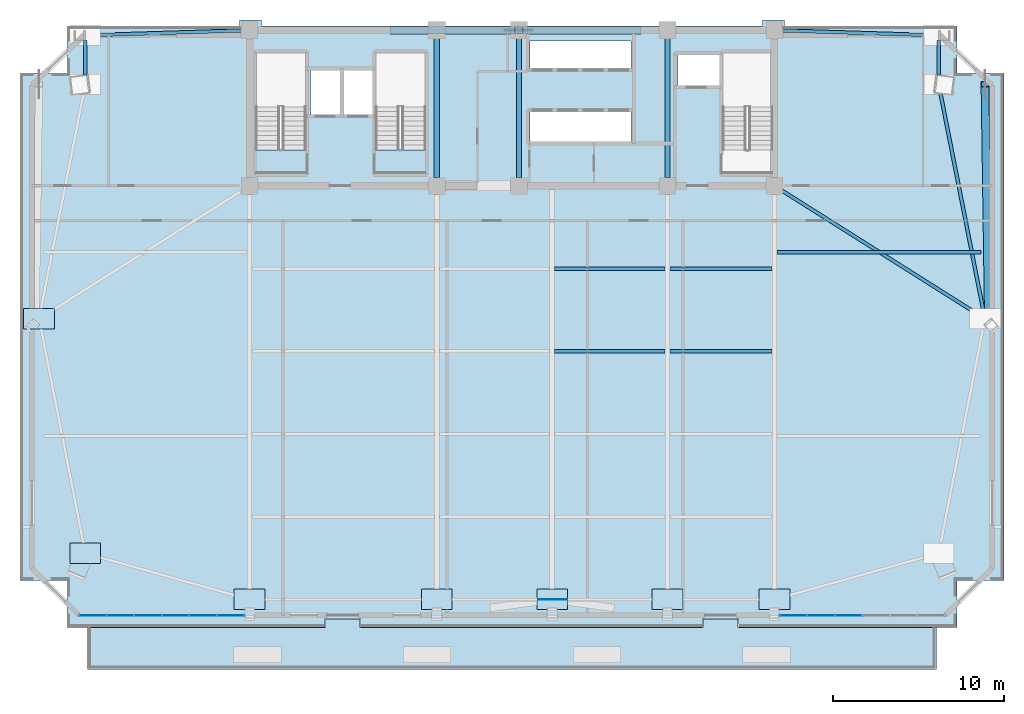
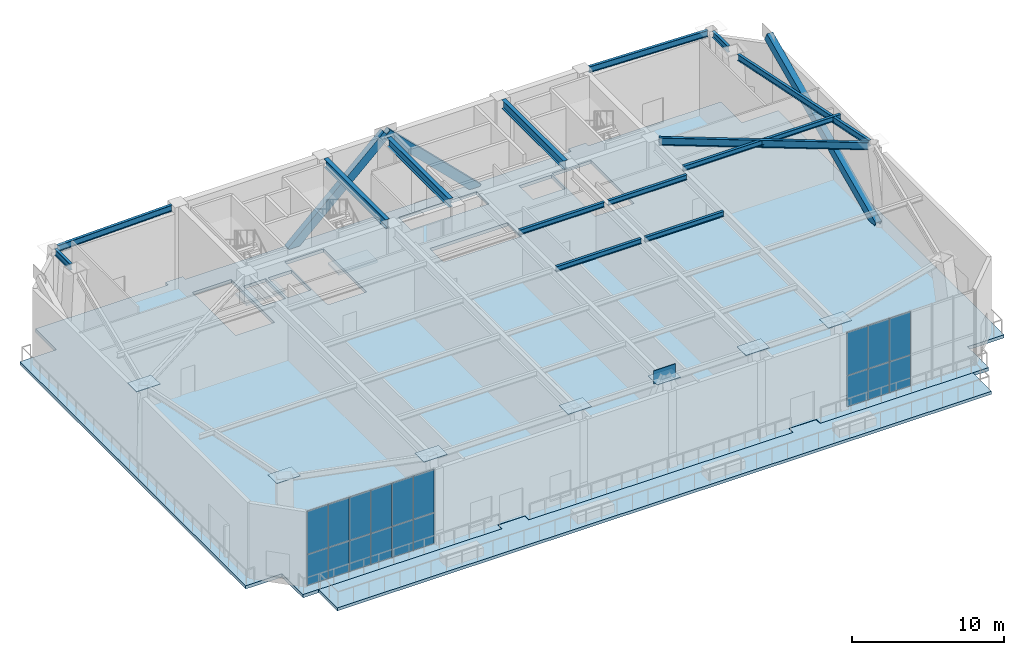
# One storey, part 7 of 16: 26 plates, 14 beams, 4 slabs, 3 members, 4 elements without a shape of their own.
"""IFC4 building model written with IfcOpenShell, lengths in metres."""

from ifc_helpers import new_model, si_unit, direction, frame, origin, origin_2d, place, context, subcontext, project, spatial, polyline, rectangle, hollow_rectangle, i_section, outline, extrude, source, transform, mapped, material, layer, layer_set, material_profile, profile_set, type_object, element, aggregate, save


model = new_model("IFC4")

# Units and contexts
model_context = context("Model", 3, precision=1e-05, world=origin(), true_north=direction((0.0, 1.0)))
body_context = subcontext(model_context, "Body", "Model", "MODEL_VIEW")
ifc_project = project(units=[si_unit("LENGTHUNIT", "METRE"), si_unit("AREAUNIT", "SQUARE_METRE"), si_unit("VOLUMEUNIT", "CUBIC_METRE"), si_unit("PLANEANGLEUNIT", "RADIAN"), si_unit("MASSUNIT", "GRAM", prefix="KILO")], contexts=[model_context])

# Site, building, storey
site_placement = place(None, origin())
site = spatial("IfcSite", under=ifc_project, at=site_placement, CompositionType="ELEMENT")
building_placement = place(site_placement, origin())
building = spatial("IfcBuilding", under=site, at=building_placement, Name="Giltprow Tower", CompositionType="ELEMENT")
storey_placement = place(building_placement, frame((0.0, 0.0, 220.199951171875)))
storey = spatial("IfcBuildingStorey", under=building, at=storey_placement, Name="L56", CompositionType="ELEMENT", Elevation=220.199951171875)

# Beams
ifc_material_1 = material(Name="Structural steel Q355B", Category="steel")
ifc_material_profile_1 = material_profile(ifc_material_1, i_section(OverallWidth=0.300048828125, OverallDepth=0.699951171875, WebThickness=0.012939453125, FlangeThickness=0.02392578125, at=origin_2d()), Name="HN 700x300x13x24")
ifc_profile_set_1 = profile_set([ifc_material_profile_1], Name="Structural steel Q355B")
beam_type_1 = type_object("IfcBeamType", Name="BM-GIRD-HN700", PredefinedType="BEAM", material=ifc_profile_set_1)
shared_shape_1 = source(origin(), body_context, "Body", "SweptSolid", [
    extrude(i_section(OverallWidth=0.300048828125, OverallDepth=0.699951171875, WebThickness=0.012939453125, FlangeThickness=0.02392578125, at=origin_2d()), origin(), (0.0, 0.0, 1.0), 8.1298828125),
])
for number, where, z_axis, x_axis, name in (
    (1, (30.800048828125, 37.93505859375, 6.235107421875), (0.0, 1.0, 0.0), (-1.0, 0.0, 0.0), "L56 Core Tie Girder M1"),
    (2, (35.60009765625, 37.93505859375, 6.235107421875), (0.0, 1.0, 0.0), (-1.0, 0.0, 0.0), "L56 Core Tie Girder M2"),
    (3, (44.300048828125, 37.93505859375, 6.235107421875), (0.0, 1.0, 0.0), (-1.0, 0.0, 0.0), "L56 Core Tie Girder M3"),
):
    element("IfcBeam", number, at=place(storey_placement, frame(where, z_axis=z_axis, x_axis=x_axis)), inside=storey, type_object=beam_type_1, Name=name, PredefinedType="BEAM", context=body_context, shape_type="MappedRepresentation", body=[
        mapped(shared_shape_1, transform((0.0, 0.0, 0.0), x_axis=(1.0, 0.0, 0.0), y_axis=(0.0, 1.0, 0.0), z_axis=(0.0, 0.0, 1.0), scale=1.0)),
    ])
ifc_material_profile_2 = material_profile(ifc_material_1, i_section(OverallWidth=0.199951171875, OverallDepth=0.39990234375, WebThickness=0.008056640625, FlangeThickness=0.012939453125, at=origin_2d()), Name="HN 400x200x8x13")
ifc_profile_set_2 = profile_set([ifc_material_profile_2], Name="Structural steel Q355B")
beam_type_2 = type_object("IfcBeamType", Name="BM-JOIST-HN400", PredefinedType="JOIST", material=ifc_profile_set_2)
shared_shape_2 = source(origin(), body_context, "Body", "SweptSolid", [
    extrude(i_section(OverallWidth=0.199951171875, OverallDepth=0.39990234375, WebThickness=0.008056640625, FlangeThickness=0.012939453125, at=origin_2d()), origin(), (0.0, 0.0, 1.0), 6.4599609375),
])
for number, where, z_axis, x_axis, name in (
    (4, (37.695068359375, 27.77001953125, 6.385009765625), (1.0, 0.0, 0.0), (0.0, 1.0, 0.0), "L56 Composite Floor Joist 3-3"),
    (5, (37.695068359375, 32.610107421875, 6.385009765625), (1.0, 0.0, 0.0), (0.0, 1.0, 0.0), "L56 Composite Floor Joist 4-3"),
):
    element("IfcBeam", number, at=place(storey_placement, frame(where, z_axis=z_axis, x_axis=x_axis)), inside=storey, type_object=beam_type_2, Name=name, PredefinedType="JOIST", context=body_context, shape_type="MappedRepresentation", body=[
        mapped(shared_shape_2, transform((0.0, 0.0, 0.0), x_axis=(1.0, 0.0, 0.0), y_axis=(0.0, 1.0, 0.0), z_axis=(0.0, 0.0, 1.0), scale=1.0)),
    ])
shared_shape_3 = source(origin(), body_context, "Body", "SweptSolid", [
    extrude(i_section(OverallWidth=0.199951171875, OverallDepth=0.39990234375, WebThickness=0.008056640625, FlangeThickness=0.012939453125, at=origin_2d()), origin(), (0.0, 0.0, 1.0), 5.9599609375),
])
for number, where, z_axis, x_axis, name in (
    (6, (44.445068359375, 27.77001953125, 6.385009765625), (1.0, 0.0, 0.0), (0.0, 1.0, 0.0), "L56 Composite Floor Joist 3-4"),
    (7, (44.445068359375, 32.610107421875, 6.385009765625), (1.0, 0.0, 0.0), (0.0, 1.0, 0.0), "L56 Composite Floor Joist 4-4"),
):
    element("IfcBeam", number, at=place(storey_placement, frame(where, z_axis=z_axis, x_axis=x_axis)), inside=storey, type_object=beam_type_2, Name=name, PredefinedType="JOIST", context=body_context, shape_type="MappedRepresentation", body=[
        mapped(shared_shape_3, transform((0.0, 0.0, 0.0), x_axis=(1.0, 0.0, 0.0), y_axis=(0.0, 1.0, 0.0), z_axis=(0.0, 0.0, 1.0), scale=1.0)),
    ])
ifc_material_profile_3 = material_profile(ifc_material_1, i_section(OverallWidth=0.199951171875, OverallDepth=0.5, WebThickness=0.010009765625, FlangeThickness=0.01611328125, at=origin_2d()), Name="HN 500x200x10x16")
ifc_profile_set_3 = profile_set([ifc_material_profile_3], Name="Structural steel Q355B")
beam_type_3 = type_object("IfcBeamType", Name="BM-SPAN-HN500", PredefinedType="SPANDREL", material=ifc_profile_set_3)
shared_shape_4 = source(origin(), body_context, "Body", "SweptSolid", [
    extrude(i_section(OverallWidth=0.199951171875, OverallDepth=0.5, WebThickness=0.010009765625, FlangeThickness=0.01611328125, at=origin_2d()), origin(), (0.0, 0.0, 1.0), 13.161865234375),
])
beam_1_placement = place(storey_placement, frame((62.81201171875, 29.955078125, 6.3349609375), z_axis=(-0.193597089577, 0.981081121471, 0.0), x_axis=(-0.981081121471, -0.193597089577, 0.0)))
element("IfcBeam", 8, at=beam_1_placement, inside=storey, type_object=beam_type_3, Name="L56 Perimeter Spandrel Beam E_MID-MC_NE", PredefinedType="SPANDREL", context=body_context, shape_type="MappedRepresentation", body=[
    mapped(shared_shape_4, transform((0.0, 0.0, 0.0), x_axis=(1.0, 0.0, 0.0), y_axis=(0.0, 1.0, 0.0), z_axis=(0.0, 0.0, 1.0), scale=1.0)),
])
shared_shape_5 = source(origin(), body_context, "Body", "SweptSolid", [
    extrude(i_section(OverallWidth=0.199951171875, OverallDepth=0.5, WebThickness=0.010009765625, FlangeThickness=0.01611328125, at=origin_2d()), origin(), (0.0, 0.0, 1.0), 2.037109375),
])
for number, where, z_axis, x_axis, name in (
    (9, (60.159912109375, 43.927978515625, 6.3349609375), (0.0, 1.0, 0.0), (-1.0, 0.0, 0.0), "L56 Perimeter Spandrel Beam MC_NE-N_E"),
    (10, (10.239990234375, 45.965087890625, 6.3349609375), (0.0, -1.0, 0.0), (1.0, 0.0, 0.0), "L56 Perimeter Spandrel Beam N_W-MC_NW"),
):
    element("IfcBeam", number, at=place(storey_placement, frame(where, z_axis=z_axis, x_axis=x_axis)), inside=storey, type_object=beam_type_3, Name=name, PredefinedType="SPANDREL", context=body_context, shape_type="MappedRepresentation", body=[
        mapped(shared_shape_5, transform((0.0, 0.0, 0.0), x_axis=(1.0, 0.0, 0.0), y_axis=(0.0, 1.0, 0.0), z_axis=(0.0, 0.0, 1.0), scale=1.0)),
    ])
shared_shape_6 = source(origin(), body_context, "Body", "SweptSolid", [
    extrude(i_section(OverallWidth=0.199951171875, OverallDepth=0.5, WebThickness=0.010009765625, FlangeThickness=0.01611328125, at=origin_2d()), origin(), (0.0, 0.0, 1.0), 8.844482421875),
])
for number, where, z_axis, x_axis, name in (
    (11, (10.52490234375, 46.259033203125, 6.3349609375), (0.999513394801, 0.031192524956, 0.0), (-0.031192524956, 0.999513394801, 0.0), "L56 North Wing Spandrel W"),
    (12, (51.034912109375, 46.534912109375, 6.3349609375), (0.999513394801, -0.031192524956, 0.0), (0.031192524956, 0.999513394801, 0.0), "L56 North Wing Spandrel E"),
):
    element("IfcBeam", number, at=place(storey_placement, frame(where, z_axis=z_axis, x_axis=x_axis)), inside=storey, type_object=beam_type_3, Name=name, PredefinedType="SPANDREL", context=body_context, shape_type="MappedRepresentation", body=[
        mapped(shared_shape_6, transform((0.0, 0.0, 0.0), x_axis=(1.0, 0.0, 0.0), y_axis=(0.0, 1.0, 0.0), z_axis=(0.0, 0.0, 1.0), scale=1.0)),
    ])
ifc_material_profile_4 = material_profile(ifc_material_1, i_section(OverallWidth=0.199951171875, OverallDepth=0.60009765625, WebThickness=0.010986328125, FlangeThickness=0.01708984375, at=origin_2d()), Name="HN 600x200x11x17")
ifc_profile_set_4 = profile_set([ifc_material_profile_4], Name="Structural steel Q355B")
beam_type_4 = type_object("IfcBeamType", Name="BM-GIRD-HN600", PredefinedType="BEAM", material=ifc_profile_set_4)
shared_shape_7 = source(origin(), body_context, "Body", "SweptSolid", [
    extrude(i_section(OverallWidth=0.199951171875, OverallDepth=0.60009765625, WebThickness=0.010986328125, FlangeThickness=0.01708984375, at=origin_2d()), origin(), (0.0, 0.0, 1.0), 13.7958984375),
])
beam_2_placement = place(storey_placement, frame((62.6259765625, 29.826904296875, 6.28515625), z_axis=(-0.845619658124, 0.533785906328, 0.0), x_axis=(-0.533785906328, -0.845619658124, 0.0)))
element("IfcBeam", 13, at=beam_2_placement, inside=storey, type_object=beam_type_4, Name="L56 East Wing Primary Girder", PredefinedType="BEAM", context=body_context, shape_type="MappedRepresentation", body=[
    mapped(shared_shape_7, transform((0.0, 0.0, 0.0), x_axis=(1.0, 0.0, 0.0), y_axis=(0.0, 1.0, 0.0), z_axis=(0.0, 0.0, 1.0), scale=1.0)),
])
shared_shape_8 = source(origin(), body_context, "Body", "SweptSolid", [
    extrude(i_section(OverallWidth=0.199951171875, OverallDepth=0.39990234375, WebThickness=0.008056640625, FlangeThickness=0.012939453125, at=origin_2d()), origin(), (0.0, 0.0, 1.0), 11.951904296875),
])
beam_3_placement = place(storey_placement, frame((50.695068359375, 33.56201171875, 6.385009765625), z_axis=(1.0, 0.0, 0.0), x_axis=(0.0, 1.0, 0.0)))
element("IfcBeam", 14, at=beam_3_placement, inside=storey, type_object=beam_type_2, Name="L56 East Wing Floor Joist 2", PredefinedType="JOIST", context=body_context, shape_type="MappedRepresentation", body=[
    mapped(shared_shape_8, transform((0.0, 0.0, 0.0), x_axis=(1.0, 0.0, 0.0), y_axis=(0.0, 1.0, 0.0), z_axis=(0.0, 0.0, 1.0), scale=1.0)),
])

# Members
ifc_material_2 = material(Name="Structural steel Q420GJC", Category="steel")
ifc_material_profile_5 = material_profile(ifc_material_2, hollow_rectangle(XDim=0.449951171875, YDim=0.699951171875, WallThickness=0.031982421875, at=origin_2d()), Name="RHS 700x450x32")
ifc_profile_set_5 = profile_set([ifc_material_profile_5], Name="Structural steel Q420GJC")
member_type = type_object("IfcMemberType", Name="MBR-MEGA-RHS700", PredefinedType="BRACE", material=ifc_profile_set_5)
shared_shape_9 = source(origin(), body_context, "Body", "SweptSolid", [
    extrude(hollow_rectangle(XDim=0.449951171875, YDim=0.699951171875, WallThickness=0.031982421875, at=origin_2d()), origin(), (0.0, 0.0, 1.0), 9.971435546875),
])
member_1_placement = place(storey_placement, frame((28.306884765625, 46.550048828125, -0.139892578125), z_axis=(0.731402830855, 0.0, 0.681945671603), x_axis=(0.0, 1.0, 0.0)))
element("IfcMember", 15, at=member_1_placement, inside=storey, type_object=member_type, Name="L56 Chevron Mega-Brace N-L", PredefinedType="BRACE", context=body_context, shape_type="MappedRepresentation", body=[
    mapped(shared_shape_9, transform((0.0, 0.0, 0.0), x_axis=(1.0, 0.0, 0.0), y_axis=(0.0, 1.0, 0.0), z_axis=(0.0, 0.0, 1.0), scale=1.0)),
])
shared_shape_10 = source(origin(), body_context, "Body", "SweptSolid", [
    extrude(hollow_rectangle(XDim=0.449951171875, YDim=0.699951171875, WallThickness=0.031982421875, at=origin_2d()), origin(), (0.0, 0.0, 1.0), 9.68701171875),
])
member_2_placement = place(storey_placement, frame((42.4990234375, 46.550048828125, -0.139892578125), z_axis=(-0.712192010673, 0.0, 0.701984714886), x_axis=(0.0, -1.0, 0.0)))
element("IfcMember", 16, at=member_2_placement, inside=storey, type_object=member_type, Name="L56 Chevron Mega-Brace N-R", PredefinedType="BRACE", context=body_context, shape_type="MappedRepresentation", body=[
    mapped(shared_shape_10, transform((0.0, 0.0, 0.0), x_axis=(1.0, 0.0, 0.0), y_axis=(0.0, 1.0, 0.0), z_axis=(0.0, 0.0, 1.0), scale=1.0)),
])
shared_shape_11 = source(origin(), body_context, "Body", "SweptSolid", [
    extrude(hollow_rectangle(XDim=0.449951171875, YDim=0.699951171875, WallThickness=0.031982421875, at=origin_2d()), origin(), (0.0, 0.0, 1.0), 15.525146484375),
])
member_3_placement = place(storey_placement, frame((63.071044921875, 29.43798828125, 0.0), z_axis=(-0.013146613887, 0.89887613611, 0.43800554617), x_axis=(-0.999893062888, -0.014624048296, 0.0)))
element("IfcMember", 17, at=member_3_placement, inside=storey, type_object=member_type, Name="L56 Chevron Mega-Brace E-D", PredefinedType="BRACE", context=body_context, shape_type="MappedRepresentation", body=[
    mapped(shared_shape_11, transform((0.0, 0.0, 0.0), x_axis=(1.0, 0.0, 0.0), y_axis=(0.0, 1.0, 0.0), z_axis=(0.0, 0.0, 1.0), scale=1.0)),
])

# Slabs
ifc_material_3 = material(Name="Concrete C40", Category="concrete")
ifc_layer_1 = layer(ifc_material_3, 0.260009765625, Name="Concrete C40")
ifc_layer_set_1 = layer_set([ifc_layer_1], Name="Concrete C40")
slab_type_1 = type_object("IfcSlabType", Name="SLB-SG-260", PredefinedType="FLOOR", material=ifc_layer_set_1)
slab_1_placement = place(storey_placement, frame((0.0, 0.0, -0.260009765625)))
element("IfcSlab", 18, at=slab_1_placement, inside=storey, type_object=slab_type_1, Name="L56 Structural Composite Floor Slab", PredefinedType="FLOOR", context=body_context, shape_type="SweptSolid", body=[
    extrude(outline(polyline([(63.98193359375, 44.0458984375), (63.98193359375, 14.3720703125), (61.22802734375, 14.3720703125), (61.22802734375, 11.617919921875), (48.449951171875, 11.617919921875), (48.449951171875, 12.137939453125), (46.35009765625, 12.137939453125), (46.35009765625, 11.617919921875), (26.35009765625, 11.617919921875), (26.35009765625, 12.137939453125), (24.25, 12.137939453125), (24.25, 11.617919921875), (9.172119140625, 11.617919921875), (9.172119140625, 14.3720703125), (6.41796875, 14.3720703125), (6.41796875, 44.0458984375), (9.172119140625, 44.0458984375), (9.172119140625, 46.800048828125), (19.25, 46.800048828125), (19.25, 47.14990234375), (20.550048828125, 47.14990234375), (20.550048828125, 46.800048828125), (49.85009765625, 46.800048828125), (49.85009765625, 47.14990234375), (51.14990234375, 47.14990234375), (51.14990234375, 46.800048828125), (61.22802734375, 46.800048828125), (61.22802734375, 44.0458984375), (63.98193359375, 44.0458984375)]), holes=[polyline([(42.169921875, 41.800048828125), (36.239990234375, 41.800048828125), (36.239990234375, 40.0), (42.169921875, 40.0), (42.169921875, 41.800048828125)]), polyline([(23.159912109375, 39.570068359375), (23.159912109375, 45.25), (20.199951171875, 45.25), (20.199951171875, 39.570068359375), (23.159912109375, 39.570068359375)]), polyline([(30.159912109375, 39.570068359375), (30.159912109375, 45.25), (27.199951171875, 45.25), (27.199951171875, 39.570068359375), (30.159912109375, 39.570068359375)]), polyline([(50.4599609375, 45.25), (47.5, 45.25), (47.5, 39.570068359375), (50.4599609375, 39.570068359375), (50.4599609375, 45.25)]), polyline([(25.169921875, 44.199951171875), (23.449951171875, 44.199951171875), (23.449951171875, 41.60009765625), (25.169921875, 41.60009765625), (25.169921875, 44.199951171875)]), polyline([(27.10009765625, 44.199951171875), (25.35009765625, 44.199951171875), (25.35009765625, 41.60009765625), (27.10009765625, 41.60009765625), (27.10009765625, 44.199951171875)]), polyline([(47.3798828125, 43.300048828125), (47.3798828125, 45.10009765625), (44.919921875, 45.10009765625), (44.919921875, 43.300048828125), (47.3798828125, 43.300048828125)]), polyline([(42.169921875, 44.300048828125), (42.169921875, 45.919921875), (36.239990234375, 45.919921875), (36.239990234375, 44.300048828125), (42.169921875, 44.300048828125)])]), origin(), (0.0, 0.0, 1.0), 0.260009765625),
])
ifc_layer_2 = layer(ifc_material_3, 0.239990234375, Name="Concrete C40")
ifc_layer_set_2 = layer_set([ifc_layer_2], Name="Concrete C40")
slab_type_2 = type_object("IfcSlabType", Name="SLB-SKYGARDEN-ROOF-240", PredefinedType="FLOOR", material=ifc_layer_set_2)
slab_2_placement = place(storey_placement, frame((0.0, 0.0, -0.239990234375)))
element("IfcSlab", 19, at=slab_2_placement, inside=storey, type_object=slab_type_2, Name="L56 Planted Sky Garden Terrace Slab", PredefinedType="FLOOR", context=body_context, shape_type="SweptSolid", body=[
    extrude(outline(polyline([(60.028076171875, 11.617919921875), (60.028076171875, 9.16796875), (10.3720703125, 9.16796875), (10.3720703125, 11.617919921875), (24.280029296875, 11.617919921875), (24.280029296875, 12.117919921875), (26.320068359375, 12.117919921875), (26.320068359375, 11.617919921875), (46.3798828125, 11.617919921875), (46.3798828125, 12.117919921875), (48.419921875, 12.117919921875), (48.419921875, 11.617919921875), (60.028076171875, 11.617919921875)])), origin(), (0.0, 0.0, 1.0), 0.239990234375),
])

# Stair, slab
stair_type_1 = type_object("IfcStairType", Name="STR-ST-1", PredefinedType="HALF_TURN_STAIR", material=ifc_material_3)
stair_1_placement = place(storey_placement, origin())
stair_1 = element("IfcStair", 20, at=stair_1_placement, inside=storey, type_object=stair_type_1, Name="L56 Core Exit Stair ST-1", PredefinedType="HALF_TURN_STAIR")
ifc_layer_3 = layer(ifc_material_3, 0.179931640625, Name="Concrete C40")
ifc_layer_set_3 = layer_set([ifc_layer_3], Name="Concrete C40")
slab_type_3 = type_object("IfcSlabType", Name="SLD-ST-1", PredefinedType="LANDING", material=ifc_layer_set_3)
slab_3_placement = place(storey_placement, frame((0.0, 0.0, 3.219970703125)))
slab_3 = element("IfcSlab", 21, at=slab_3_placement, type_object=slab_type_3, Name="ST-1 landing 2", PredefinedType="LANDING", context=body_context, shape_type="SweptSolid", body=[
    extrude(outline(polyline([(23.159912109375, 38.14990234375), (23.159912109375, 39.550048828125), (20.199951171875, 39.550048828125), (20.199951171875, 38.14990234375), (23.159912109375, 38.14990234375)])), origin(), (0.0, 0.0, 1.0), 0.18017578125),
])
aggregate(stair_1, [slab_3])

stair_type_2 = type_object("IfcStairType", Name="STR-ST-2", PredefinedType="HALF_TURN_STAIR", material=ifc_material_3)
stair_2_placement = place(storey_placement, origin())
stair_2 = element("IfcStair", 22, at=stair_2_placement, inside=storey, type_object=stair_type_2, Name="L56 Core Exit Stair ST-2", PredefinedType="HALF_TURN_STAIR")
ifc_layer_4 = layer(ifc_material_3, 0.18798828125, Name="Concrete C40")
ifc_layer_set_4 = layer_set([ifc_layer_4], Name="Concrete C40")
slab_type_4 = type_object("IfcSlabType", Name="SLD-ST-2", PredefinedType="LANDING", material=ifc_layer_set_4)
slab_4_placement = place(storey_placement, frame((0.0, 0.0, 3.212158203125)))
slab_4 = element("IfcSlab", 23, at=slab_4_placement, type_object=slab_type_4, Name="ST-2 landing 2", PredefinedType="LANDING", context=body_context, shape_type="SweptSolid", body=[
    extrude(outline(polyline([(30.159912109375, 38.14990234375), (30.159912109375, 39.550048828125), (27.199951171875, 39.550048828125), (27.199951171875, 38.14990234375), (30.159912109375, 38.14990234375)])), origin(), (0.0, 0.0, 1.0), 0.18798828125),
])
aggregate(stair_2, [slab_4])

# Plates
plate_type_1 = type_object("IfcPlateType", Name="PLT-NODE-CKN1", PredefinedType="USERDEFINED", material=ifc_material_2)
shared_shape_12 = source(origin(), body_context, "Body", "SweptSolid", [
    extrude(rectangle(XDim=1.800048828125, YDim=1.199951171875, at=origin_2d()), origin(), (0.0, 0.0, 1.0), 0.044921875),
])
for number, where, z_axis, x_axis, name in (
    (24, (10.239990234375, 15.95703125, 6.54248046875), (0.0, 0.0, 1.0), (1.0, 0.0, 0.0), "CKN1 Column Taper Splice Node L56-MC_SW"),
    (25, (19.85009765625, 13.25, 6.54248046875), (0.0, 0.0, 1.0), (1.0, 0.0, 0.0), "CKN1 Column Taper Splice Node L56-S1"),
    (26, (30.800048828125, 13.25, 6.54248046875), (0.0, 0.0, 1.0), (1.0, 0.0, 0.0), "CKN1 Column Taper Splice Node L56-S2"),
    (27, (37.550048828125, 13.25, 6.54248046875), (0.0, 0.0, 1.0), (1.0, 0.0, 0.0), "CKN1 Column Taper Splice Node L56-S_MID"),
    (28, (44.300048828125, 13.25, 6.54248046875), (0.0, 0.0, 1.0), (1.0, 0.0, 0.0), "CKN1 Column Taper Splice Node L56-S3"),
    (29, (50.550048828125, 13.25, 6.54248046875), (0.0, 0.0, 1.0), (1.0, 0.0, 0.0), "CKN1 Column Taper Splice Node L56-S4"),
    (30, (7.532958984375, 29.675048828125, 6.54248046875), (0.0, 0.0, 1.0), (1.0, 0.0, 0.0), "CKN1 Column Taper Splice Node L56-W_MID"),
):
    element("IfcPlate", number, at=place(storey_placement, frame(where, z_axis=z_axis, x_axis=x_axis)), inside=storey, type_object=plate_type_1, Name=name, ObjectType="SPLICE", PredefinedType="USERDEFINED", context=body_context, shape_type="MappedRepresentation", body=[
        mapped(shared_shape_12, transform((0.0, 0.0, 0.0), x_axis=(1.0, 0.0, 0.0), y_axis=(0.0, 1.0, 0.0), z_axis=(0.0, 0.0, 1.0), scale=1.0)),
    ])
plate_type_2 = type_object("IfcPlateType", Name="PLT-NODE-MBN2", PredefinedType="USERDEFINED", material=ifc_material_2)
shared_shape_13 = source(origin(), body_context, "Body", "SweptSolid", [
    extrude(rectangle(XDim=1.64990234375, YDim=0.044921875, at=origin_2d()), origin(), (0.0, 0.0, 1.0), 1.050048828125),
])
plate_1_placement = place(storey_placement, frame((37.550048828125, 13.25, 6.27490234375), z_axis=(0.0, 0.0, 1.0), x_axis=(1.0, 0.0, 0.0)))
element("IfcPlate", 31, at=plate_1_placement, inside=storey, type_object=plate_type_2, Name="Mega-Brace Node L56-S-LB", ObjectType="GUSSET", PredefinedType="USERDEFINED", context=body_context, shape_type="MappedRepresentation", body=[
    mapped(shared_shape_13, transform((0.0, 0.0, 0.0), x_axis=(1.0, 0.0, 0.0), y_axis=(0.0, 1.0, 0.0), z_axis=(0.0, 0.0, 1.0), scale=1.0)),
])

# Curtain wall, plates
ifc_material_4 = material(Name="Anodized bronze", Category="metal")
ifc_layer_5 = layer(ifc_material_4, 0.179931640625, Name="Anodized bronze")
ifc_layer_set_5 = layer_set([ifc_layer_5], Name="Anodized bronze")
curtain_wall_type = type_object("IfcCurtainWallType", Name="CW-SKYGARDEN", PredefinedType="NOTDEFINED", material=ifc_layer_set_5)
curtain_wall_1_placement = place(storey_placement, origin())
curtain_wall_1 = element("IfcCurtainWall", 32, at=curtain_wall_1_placement, inside=storey, type_object=curtain_wall_type, Name="L56 South Recessed Curtain Wall 1", PredefinedType="NOTDEFINED")
ifc_material_5 = material(Name="Insulated glass", Category="glass")
plate_type_3 = type_object("IfcPlateType", Name="CW-PANEL-IGU-28", PredefinedType="CURTAIN_PANEL", material=ifc_material_5)
shared_shape_14 = source(origin(), body_context, "Body", "SweptSolid", [
    extrude(rectangle(XDim=1.5830078125, YDim=0.028076171875, at=origin_2d()), origin(), (0.0, 0.0, 1.0), 2.47900390625),
])
plate_2_placement = place(storey_placement, frame((10.677978515625, 12.318115234375, 0.054443359375), z_axis=(0.0, 0.0, 1.0), x_axis=(1.0, 0.0, 0.0)))
plate_2 = element("IfcPlate", 33, at=plate_2_placement, type_object=plate_type_3, Name="L56 South Recessed Curtain Wall 1 Glazing Panel 1-1", PredefinedType="CURTAIN_PANEL", context=body_context, shape_type="MappedRepresentation", body=[
    mapped(shared_shape_14, transform((0.0, 0.0, 0.0), x_axis=(1.0, 0.0, 0.0), y_axis=(0.0, 1.0, 0.0), z_axis=(0.0, 0.0, 1.0), scale=1.0)),
])
plate_3_placement = place(storey_placement, frame((12.291015625, 12.318115234375, 0.054443359375), z_axis=(0.0, 0.0, 1.0), x_axis=(1.0, 0.0, 0.0)))
plate_3 = element("IfcPlate", 34, at=plate_3_placement, type_object=plate_type_3, Name="L56 South Recessed Curtain Wall 1 Glazing Panel 2-1", PredefinedType="CURTAIN_PANEL", context=body_context, shape_type="MappedRepresentation", body=[
    mapped(shared_shape_14, transform((0.0, 0.0, 0.0), x_axis=(1.0, 0.0, 0.0), y_axis=(0.0, 1.0, 0.0), z_axis=(0.0, 0.0, 1.0), scale=1.0)),
])
plate_4_placement = place(storey_placement, frame((13.904052734375, 12.318115234375, 0.054443359375), z_axis=(0.0, 0.0, 1.0), x_axis=(1.0, 0.0, 0.0)))
plate_4 = element("IfcPlate", 35, at=plate_4_placement, type_object=plate_type_3, Name="L56 South Recessed Curtain Wall 1 Glazing Panel 3-1", PredefinedType="CURTAIN_PANEL", context=body_context, shape_type="MappedRepresentation", body=[
    mapped(shared_shape_14, transform((0.0, 0.0, 0.0), x_axis=(1.0, 0.0, 0.0), y_axis=(0.0, 1.0, 0.0), z_axis=(0.0, 0.0, 1.0), scale=1.0)),
])
plate_5_placement = place(storey_placement, frame((15.51806640625, 12.318115234375, 0.054443359375), z_axis=(0.0, 0.0, 1.0), x_axis=(1.0, 0.0, 0.0)))
plate_5 = element("IfcPlate", 36, at=plate_5_placement, type_object=plate_type_3, Name="L56 South Recessed Curtain Wall 1 Glazing Panel 4-1", PredefinedType="CURTAIN_PANEL", context=body_context, shape_type="MappedRepresentation", body=[
    mapped(shared_shape_14, transform((0.0, 0.0, 0.0), x_axis=(1.0, 0.0, 0.0), y_axis=(0.0, 1.0, 0.0), z_axis=(0.0, 0.0, 1.0), scale=1.0)),
])
plate_6_placement = place(storey_placement, frame((17.131103515625, 12.318115234375, 0.054443359375), z_axis=(0.0, 0.0, 1.0), x_axis=(1.0, 0.0, 0.0)))
plate_6 = element("IfcPlate", 37, at=plate_6_placement, type_object=plate_type_3, Name="L56 South Recessed Curtain Wall 1 Glazing Panel 5-1", PredefinedType="CURTAIN_PANEL", context=body_context, shape_type="MappedRepresentation", body=[
    mapped(shared_shape_14, transform((0.0, 0.0, 0.0), x_axis=(1.0, 0.0, 0.0), y_axis=(0.0, 1.0, 0.0), z_axis=(0.0, 0.0, 1.0), scale=1.0)),
])
plate_7_placement = place(storey_placement, frame((18.743896484375, 12.318115234375, 0.054443359375), z_axis=(0.0, 0.0, 1.0), x_axis=(1.0, 0.0, 0.0)))
plate_7 = element("IfcPlate", 38, at=plate_7_placement, type_object=plate_type_3, Name="L56 South Recessed Curtain Wall 1 Glazing Panel 6-1", PredefinedType="CURTAIN_PANEL", context=body_context, shape_type="MappedRepresentation", body=[
    mapped(shared_shape_14, transform((0.0, 0.0, 0.0), x_axis=(1.0, 0.0, 0.0), y_axis=(0.0, 1.0, 0.0), z_axis=(0.0, 0.0, 1.0), scale=1.0)),
])

curtain_wall_2_placement = place(storey_placement, origin())
curtain_wall_2 = element("IfcCurtainWall", 39, at=curtain_wall_2_placement, inside=storey, type_object=curtain_wall_type, Name="L56 South Recessed Curtain Wall 6", PredefinedType="NOTDEFINED")
plate_8_placement = place(storey_placement, frame((51.656982421875, 12.318115234375, 0.054443359375), z_axis=(0.0, 0.0, 1.0), x_axis=(1.0, 0.0, 0.0)))
plate_8 = element("IfcPlate", 40, at=plate_8_placement, type_object=plate_type_3, Name="L56 South Recessed Curtain Wall 6 Glazing Panel 1-1", PredefinedType="CURTAIN_PANEL", context=body_context, shape_type="MappedRepresentation", body=[
    mapped(shared_shape_14, transform((0.0, 0.0, 0.0), x_axis=(1.0, 0.0, 0.0), y_axis=(0.0, 1.0, 0.0), z_axis=(0.0, 0.0, 1.0), scale=1.0)),
])
plate_9_placement = place(storey_placement, frame((53.27001953125, 12.318115234375, 0.054443359375), z_axis=(0.0, 0.0, 1.0), x_axis=(1.0, 0.0, 0.0)))
plate_9 = element("IfcPlate", 41, at=plate_9_placement, type_object=plate_type_3, Name="L56 South Recessed Curtain Wall 6 Glazing Panel 2-1", PredefinedType="CURTAIN_PANEL", context=body_context, shape_type="MappedRepresentation", body=[
    mapped(shared_shape_14, transform((0.0, 0.0, 0.0), x_axis=(1.0, 0.0, 0.0), y_axis=(0.0, 1.0, 0.0), z_axis=(0.0, 0.0, 1.0), scale=1.0)),
])
plate_10_placement = place(storey_placement, frame((54.883056640625, 12.318115234375, 0.054443359375), z_axis=(0.0, 0.0, 1.0), x_axis=(1.0, 0.0, 0.0)))
plate_10 = element("IfcPlate", 42, at=plate_10_placement, type_object=plate_type_3, Name="L56 South Recessed Curtain Wall 6 Glazing Panel 3-1", PredefinedType="CURTAIN_PANEL", context=body_context, shape_type="MappedRepresentation", body=[
    mapped(shared_shape_14, transform((0.0, 0.0, 0.0), x_axis=(1.0, 0.0, 0.0), y_axis=(0.0, 1.0, 0.0), z_axis=(0.0, 0.0, 1.0), scale=1.0)),
])

# Plate
shared_shape_15 = source(origin(), body_context, "Body", "SweptSolid", [
    extrude(rectangle(XDim=1.5830078125, YDim=0.028076171875, at=origin_2d()), origin(), (0.0, 0.0, 1.0), 3.449951171875),
])
plate_11_placement = place(storey_placement, frame((10.677978515625, 12.318115234375, 2.56103515625), z_axis=(0.0, 0.0, 1.0), x_axis=(1.0, 0.0, 0.0)))
plate_11 = element("IfcPlate", 43, at=plate_11_placement, type_object=plate_type_3, Name="L56 South Recessed Curtain Wall 1 Glazing Panel 1-2", PredefinedType="CURTAIN_PANEL", context=body_context, shape_type="MappedRepresentation", body=[
    mapped(shared_shape_15, transform((0.0, 0.0, 0.0), x_axis=(1.0, 0.0, 0.0), y_axis=(0.0, 1.0, 0.0), z_axis=(0.0, 0.0, 1.0), scale=1.0)),
])

plate_12_placement = place(storey_placement, frame((12.291015625, 12.318115234375, 2.56103515625), z_axis=(0.0, 0.0, 1.0), x_axis=(1.0, 0.0, 0.0)))
plate_12 = element("IfcPlate", 44, at=plate_12_placement, type_object=plate_type_3, Name="L56 South Recessed Curtain Wall 1 Glazing Panel 2-2", PredefinedType="CURTAIN_PANEL", context=body_context, shape_type="MappedRepresentation", body=[
    mapped(shared_shape_15, transform((0.0, 0.0, 0.0), x_axis=(1.0, 0.0, 0.0), y_axis=(0.0, 1.0, 0.0), z_axis=(0.0, 0.0, 1.0), scale=1.0)),
])

plate_13_placement = place(storey_placement, frame((13.904052734375, 12.318115234375, 2.56103515625), z_axis=(0.0, 0.0, 1.0), x_axis=(1.0, 0.0, 0.0)))
plate_13 = element("IfcPlate", 45, at=plate_13_placement, type_object=plate_type_3, Name="L56 South Recessed Curtain Wall 1 Glazing Panel 3-2", PredefinedType="CURTAIN_PANEL", context=body_context, shape_type="MappedRepresentation", body=[
    mapped(shared_shape_15, transform((0.0, 0.0, 0.0), x_axis=(1.0, 0.0, 0.0), y_axis=(0.0, 1.0, 0.0), z_axis=(0.0, 0.0, 1.0), scale=1.0)),
])

plate_14_placement = place(storey_placement, frame((15.51806640625, 12.318115234375, 2.56103515625), z_axis=(0.0, 0.0, 1.0), x_axis=(1.0, 0.0, 0.0)))
plate_14 = element("IfcPlate", 46, at=plate_14_placement, type_object=plate_type_3, Name="L56 South Recessed Curtain Wall 1 Glazing Panel 4-2", PredefinedType="CURTAIN_PANEL", context=body_context, shape_type="MappedRepresentation", body=[
    mapped(shared_shape_15, transform((0.0, 0.0, 0.0), x_axis=(1.0, 0.0, 0.0), y_axis=(0.0, 1.0, 0.0), z_axis=(0.0, 0.0, 1.0), scale=1.0)),
])

plate_15_placement = place(storey_placement, frame((17.131103515625, 12.318115234375, 2.56103515625), z_axis=(0.0, 0.0, 1.0), x_axis=(1.0, 0.0, 0.0)))
plate_15 = element("IfcPlate", 47, at=plate_15_placement, type_object=plate_type_3, Name="L56 South Recessed Curtain Wall 1 Glazing Panel 5-2", PredefinedType="CURTAIN_PANEL", context=body_context, shape_type="MappedRepresentation", body=[
    mapped(shared_shape_15, transform((0.0, 0.0, 0.0), x_axis=(1.0, 0.0, 0.0), y_axis=(0.0, 1.0, 0.0), z_axis=(0.0, 0.0, 1.0), scale=1.0)),
])

plate_16_placement = place(storey_placement, frame((18.743896484375, 12.318115234375, 2.56103515625), z_axis=(0.0, 0.0, 1.0), x_axis=(1.0, 0.0, 0.0)))
plate_16 = element("IfcPlate", 48, at=plate_16_placement, type_object=plate_type_3, Name="L56 South Recessed Curtain Wall 1 Glazing Panel 6-2", PredefinedType="CURTAIN_PANEL", context=body_context, shape_type="MappedRepresentation", body=[
    mapped(shared_shape_15, transform((0.0, 0.0, 0.0), x_axis=(1.0, 0.0, 0.0), y_axis=(0.0, 1.0, 0.0), z_axis=(0.0, 0.0, 1.0), scale=1.0)),
])

aggregate(curtain_wall_1, [plate_2, plate_11, plate_3, plate_12, plate_4, plate_13, plate_5, plate_14, plate_6, plate_15, plate_7, plate_16])

plate_17_placement = place(storey_placement, frame((51.656982421875, 12.318115234375, 2.56103515625), z_axis=(0.0, 0.0, 1.0), x_axis=(1.0, 0.0, 0.0)))
plate_17 = element("IfcPlate", 49, at=plate_17_placement, type_object=plate_type_3, Name="L56 South Recessed Curtain Wall 6 Glazing Panel 1-2", PredefinedType="CURTAIN_PANEL", context=body_context, shape_type="MappedRepresentation", body=[
    mapped(shared_shape_15, transform((0.0, 0.0, 0.0), x_axis=(1.0, 0.0, 0.0), y_axis=(0.0, 1.0, 0.0), z_axis=(0.0, 0.0, 1.0), scale=1.0)),
])

plate_18_placement = place(storey_placement, frame((53.27001953125, 12.318115234375, 2.56103515625), z_axis=(0.0, 0.0, 1.0), x_axis=(1.0, 0.0, 0.0)))
plate_18 = element("IfcPlate", 50, at=plate_18_placement, type_object=plate_type_3, Name="L56 South Recessed Curtain Wall 6 Glazing Panel 2-2", PredefinedType="CURTAIN_PANEL", context=body_context, shape_type="MappedRepresentation", body=[
    mapped(shared_shape_15, transform((0.0, 0.0, 0.0), x_axis=(1.0, 0.0, 0.0), y_axis=(0.0, 1.0, 0.0), z_axis=(0.0, 0.0, 1.0), scale=1.0)),
])

plate_19_placement = place(storey_placement, frame((54.883056640625, 12.318115234375, 2.56103515625), z_axis=(0.0, 0.0, 1.0), x_axis=(1.0, 0.0, 0.0)))
plate_19 = element("IfcPlate", 51, at=plate_19_placement, type_object=plate_type_3, Name="L56 South Recessed Curtain Wall 6 Glazing Panel 3-2", PredefinedType="CURTAIN_PANEL", context=body_context, shape_type="MappedRepresentation", body=[
    mapped(shared_shape_15, transform((0.0, 0.0, 0.0), x_axis=(1.0, 0.0, 0.0), y_axis=(0.0, 1.0, 0.0), z_axis=(0.0, 0.0, 1.0), scale=1.0)),
])

aggregate(curtain_wall_2, [plate_8, plate_17, plate_9, plate_18, plate_10, plate_19])

save(model, "model.ifc")
